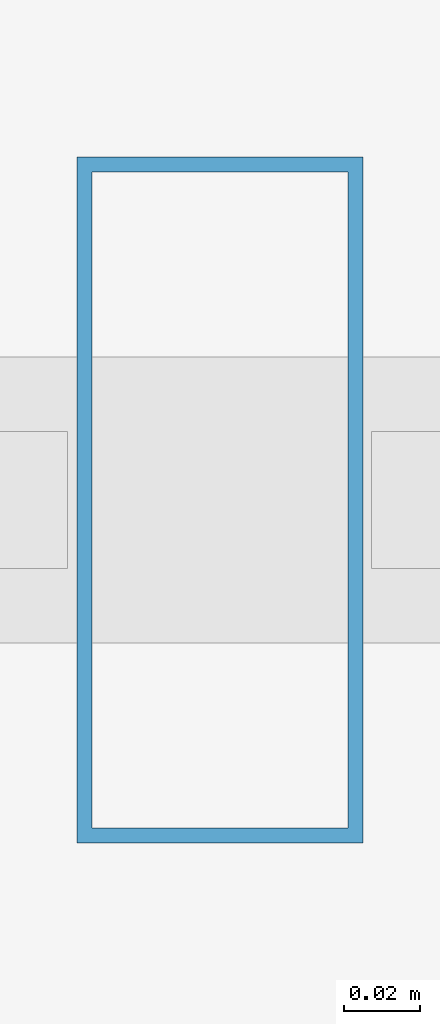
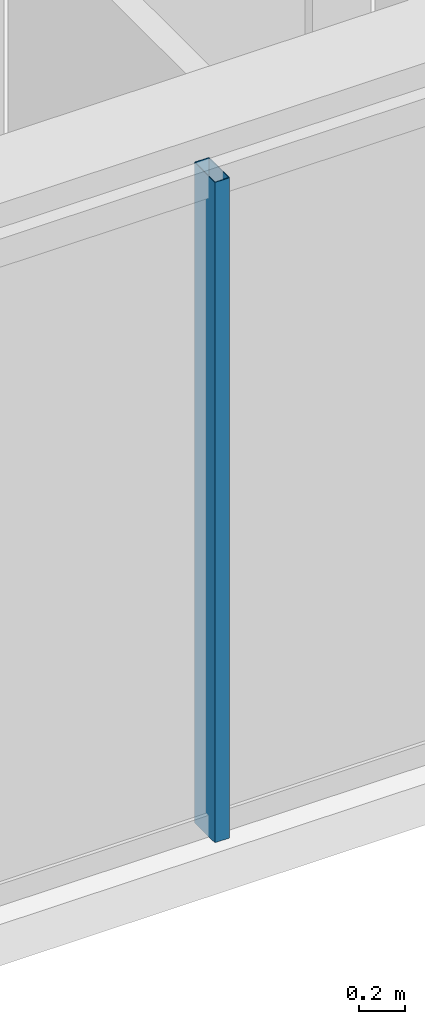
# One storey, part 4 of 31: 1 member, 1 element without a shape of its own.
"""IFC4 building model written with IfcOpenShell, lengths in metres."""

from ifc_helpers import new_model, si_unit, direction, frame, origin, origin_2d, place, context, subcontext, project, spatial, hollow_rectangle, extrude, material, layer, layer_set, material_profile, profile_set, type_object, element, aggregate, save


model = new_model("IFC4")

# Units and contexts
model_context = context("Model", 3, precision=1e-05, world=origin(), true_north=direction((0.0, 1.0)))
body_context = subcontext(model_context, "Body", "Model", "MODEL_VIEW")
ifc_project = project(units=[si_unit("LENGTHUNIT", "METRE"), si_unit("AREAUNIT", "SQUARE_METRE"), si_unit("VOLUMEUNIT", "CUBIC_METRE"), si_unit("PLANEANGLEUNIT", "RADIAN"), si_unit("MASSUNIT", "GRAM", prefix="KILO")], contexts=[model_context])

# Site, building, storey
site_placement = place(None, origin())
site = spatial("IfcSite", under=ifc_project, at=site_placement, CompositionType="ELEMENT")
building_placement = place(site_placement, origin())
building = spatial("IfcBuilding", under=site, at=building_placement, Name="Ndaravel Arena Tower", CompositionType="ELEMENT")
storey_placement = place(building_placement, frame((0.0, 0.0, 108.199951171875)))
storey = spatial("IfcBuildingStorey", under=building, at=storey_placement, Name="L25", CompositionType="ELEMENT", Elevation=108.199951171875)

# Curtain wall, member
ifc_material_1 = material(Name="Aluminium", Category="aluminium")
ifc_layer = layer(ifc_material_1, 0.179931640625)
ifc_layer_set = layer_set([ifc_layer], Name="Aluminium")
curtain_wall_type = type_object("IfcCurtainWallType", Name="CW-SYS-03", PredefinedType="NOTDEFINED", material=ifc_layer_set)
curtain_wall_placement = place(storey_placement, origin())
curtain_wall = element("IfcCurtainWall", 1, at=curtain_wall_placement, inside=storey, type_object=curtain_wall_type, Name="L25 Faceted Crystal Curtain Wall CW-L25-E01", PredefinedType="NOTDEFINED")
ifc_material_2 = material(Name="Aluminium", Category="aluminium")
ifc_material_profile = material_profile(ifc_material_2, hollow_rectangle(XDim=0.074951171875, YDim=0.179931640625, WallThickness=0.00390625, at=origin_2d()), Name="CW MULLION 75x180x4")
ifc_profile_set = profile_set([ifc_material_profile], Name="Aluminium")
member_type = type_object("IfcMemberType", Name="MEM-CW-MUL180", PredefinedType="MULLION", material=ifc_profile_set)
member_placement = place(storey_placement, frame((33.591064453125, 5.159912109375, 0.0), z_axis=(0.0, 0.0, 1.0), x_axis=(1.0, 0.0, 0.0)))
member = element("IfcMember", 2, at=member_placement, type_object=member_type, Name="CW-L25-E01 Mullion 02", PredefinedType="MULLION", context=body_context, shape_type="SweptSolid", body=[
    extrude(hollow_rectangle(XDim=0.074951171875, YDim=0.179931640625, WallThickness=0.00390625, at=origin_2d()), origin(), (0.0, 0.0, 1.0), 3.52001953125),
])
aggregate(curtain_wall, [member])

save(model, "model.ifc")
